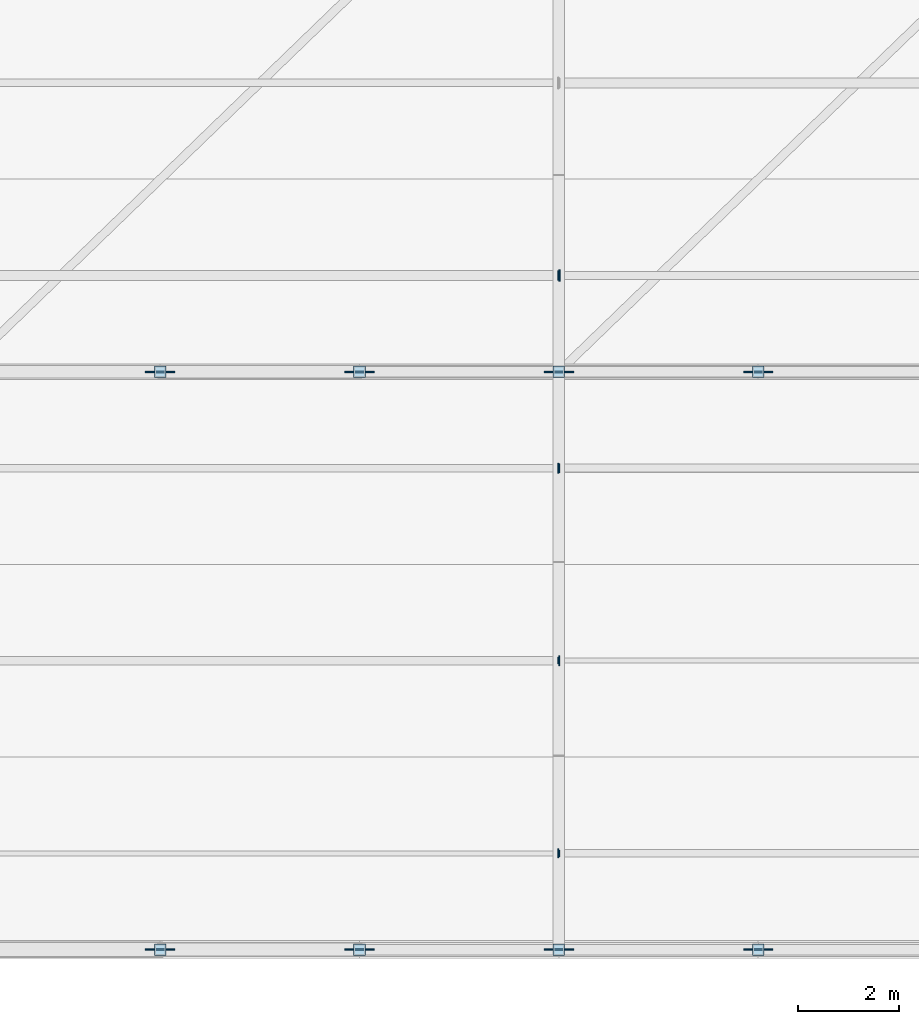
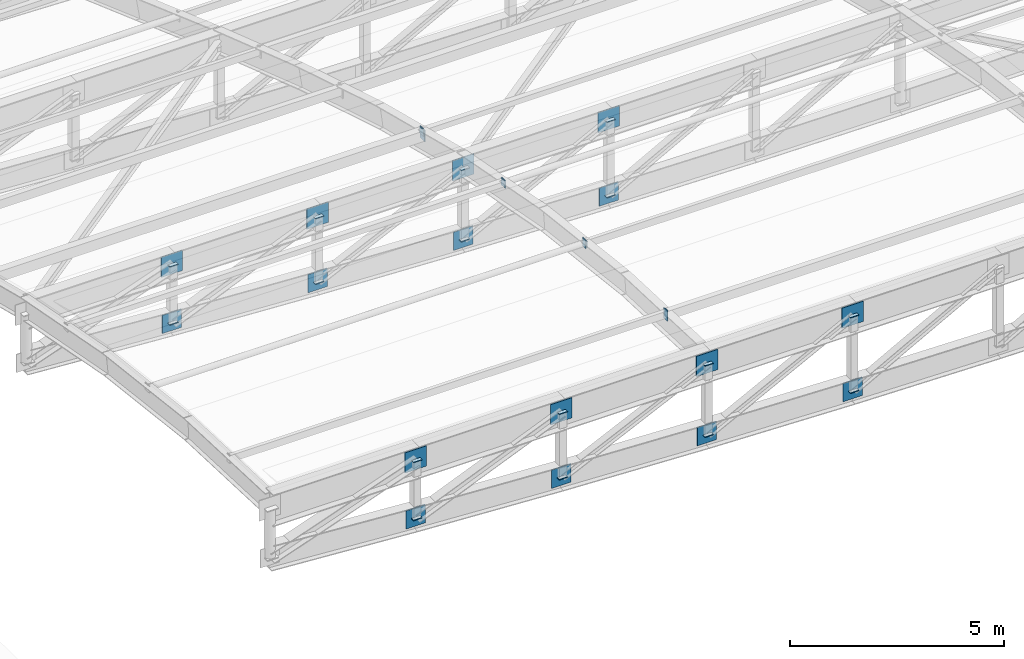
# One storey, part 38 of 65: 40 plates.
"""IFC4 building model written with IfcOpenShell, lengths in metres."""

from ifc_helpers import new_model, si_unit, direction, frame, origin, origin_2d, place, context, subcontext, project, spatial, rectangle, extrude, material, layer, layer_set, type_object, element, save


model = new_model("IFC4")

# Units and contexts
model_context = context("Model", 3, precision=1e-05, world=origin(), true_north=direction((0.0, 1.0)))
body_context = subcontext(model_context, "Body", "Model", "MODEL_VIEW")
ifc_project = project(units=[si_unit("LENGTHUNIT", "METRE"), si_unit("AREAUNIT", "SQUARE_METRE"), si_unit("VOLUMEUNIT", "CUBIC_METRE"), si_unit("PLANEANGLEUNIT", "RADIAN"), si_unit("MASSUNIT", "GRAM", prefix="KILO"), si_unit("POWERUNIT", "WATT"), si_unit("THERMODYNAMICTEMPERATUREUNIT", "KELVIN")], contexts=[model_context])

# Site, building, storey
site_placement = place(None, origin())
site = spatial("IfcSite", under=ifc_project, at=site_placement, CompositionType="ELEMENT")
building_placement = place(site_placement, origin())
building = spatial("IfcBuilding", under=site, at=building_placement, Name="Kelmbourne Parkland Aquatics Centre", CompositionType="ELEMENT")
storey_placement = place(building_placement, frame((0.0, 0.0, 27.0)))
storey = spatial("IfcBuildingStorey", under=building, at=storey_placement, Name="RF", CompositionType="ELEMENT", Elevation=27.0)

# Plates
ifc_material = material(Name="Welded plate steel AS/NZS 3678 Grade 350", Category="steel")
ifc_layer_1 = layer(ifc_material, 0.02001953125)
ifc_layer_set_1 = layer_set([ifc_layer_1], Name="Welded plate steel AS/NZS 3678 Grade 350")
plate_type_1 = type_object("IfcPlateType", Name="PL-CAP-20", PredefinedType="USERDEFINED", material=ifc_layer_set_1)
for number, where, z_axis, x_axis, name in (
    (1, (131.933349609375, 0.800048828125, -2.478759765625), (0.0, 0.0, 1.0), (1.0, 0.0, 0.0), "Hollow end cap plate CAP-0017"),
    (2, (131.933349609375, 0.800048828125, -0.821044921875), (0.0, 0.0, 1.0), (1.0, 0.0, 0.0), "Hollow end cap plate CAP-0018"),
    (3, (135.86669921875, 0.800048828125, -2.691162109375), (0.0, 0.0, 1.0), (1.0, 0.0, 0.0), "Hollow end cap plate CAP-0019"),
    (4, (135.86669921875, 0.800048828125, -0.821044921875), (0.0, 0.0, 1.0), (1.0, 0.0, 0.0), "Hollow end cap plate CAP-0020"),
    (5, (139.800048828125, 0.800048828125, -2.8564453125), (0.0, 0.0, 1.0), (1.0, 0.0, 0.0), "Hollow end cap plate CAP-0021"),
    (6, (139.800048828125, 0.800048828125, -0.821044921875), (0.0, 0.0, 1.0), (1.0, 0.0, 0.0), "Hollow end cap plate CAP-0022"),
    (7, (143.7333984375, 0.800048828125, -2.974609375), (0.0, 0.0, 1.0), (1.0, 0.0, 0.0), "Hollow end cap plate CAP-0023"),
    (8, (143.7333984375, 0.800048828125, -0.821044921875), (0.0, 0.0, 1.0), (1.0, 0.0, 0.0), "Hollow end cap plate CAP-0024"),
    (9, (131.933349609375, 12.199951171875, -3.8095703125), (0.0, 0.0, 1.0), (1.0, 0.0, 0.0), "Hollow end cap plate CAP-0043"),
    (10, (131.933349609375, 12.199951171875, -2.15185546875), (0.0, 0.0, 1.0), (1.0, 0.0, 0.0), "Hollow end cap plate CAP-0044"),
    (11, (135.86669921875, 12.199951171875, -4.02197265625), (0.0, 0.0, 1.0), (1.0, 0.0, 0.0), "Hollow end cap plate CAP-0045"),
    (12, (135.86669921875, 12.199951171875, -2.15185546875), (0.0, 0.0, 1.0), (1.0, 0.0, 0.0), "Hollow end cap plate CAP-0046"),
    (13, (139.800048828125, 12.199951171875, -4.187255859375), (0.0, 0.0, 1.0), (1.0, 0.0, 0.0), "Hollow end cap plate CAP-0047"),
    (14, (139.800048828125, 12.199951171875, -2.15185546875), (0.0, 0.0, 1.0), (1.0, 0.0, 0.0), "Hollow end cap plate CAP-0048"),
    (15, (143.7333984375, 12.199951171875, -4.305419921875), (0.0, 0.0, 1.0), (1.0, 0.0, 0.0), "Hollow end cap plate CAP-0049"),
    (16, (143.7333984375, 12.199951171875, -2.15185546875), (0.0, 0.0, 1.0), (1.0, 0.0, 0.0), "Hollow end cap plate CAP-0050"),
):
    element("IfcPlate", number, at=place(storey_placement, frame(where, z_axis=z_axis, x_axis=x_axis)), inside=storey, type_object=plate_type_1, Name=name, ObjectType="END CAP PLATE", PredefinedType="USERDEFINED", context=body_context, shape_type="SweptSolid", body=[
        extrude(rectangle(XDim=0.22998046875, YDim=0.22998046875, at=origin_2d()), origin(), (0.0, 0.0, 1.0), 0.02001953125),
    ])
plate_1_placement = place(storey_placement, frame((139.80908203125, 2.699951171875, -0.681396484375), z_axis=(0.0, 0.0, 1.0), x_axis=(1.0, 0.0, 0.0)))
element("IfcPlate", 17, at=plate_1_placement, inside=storey, type_object=plate_type_1, Name="Hollow end cap plate CAP-0302", ObjectType="END CAP PLATE", PredefinedType="USERDEFINED", context=body_context, shape_type="SweptSolid", body=[
    extrude(rectangle(XDim=0.02001953125, YDim=0.1298828125, at=origin_2d()), origin(), (0.0, 0.0, 1.0), 0.22998046875),
])
plate_2_placement = place(storey_placement, frame((139.791015625, 2.699951171875, -0.7314453125), z_axis=(0.0, 0.0, 1.0), x_axis=(-1.0, 0.0, 0.0)))
element("IfcPlate", 18, at=plate_2_placement, inside=storey, type_object=plate_type_1, Name="Hollow end cap plate CAP-0303", ObjectType="END CAP PLATE", PredefinedType="USERDEFINED", context=body_context, shape_type="SweptSolid", body=[
    extrude(rectangle(XDim=0.02001953125, YDim=0.179931640625, at=origin_2d()), origin(), (0.0, 0.0, 1.0), 0.280029296875),
])
plate_3_placement = place(storey_placement, frame((139.80908203125, 6.5, -0.951904296875), z_axis=(0.0, 0.0, 1.0), x_axis=(1.0, 0.0, 0.0)))
element("IfcPlate", 19, at=plate_3_placement, inside=storey, type_object=plate_type_1, Name="Hollow end cap plate CAP-0310", ObjectType="END CAP PLATE", PredefinedType="USERDEFINED", context=body_context, shape_type="SweptSolid", body=[
    extrude(rectangle(XDim=0.02001953125, YDim=0.1982421875, at=origin_2d()), origin(), (0.0, 0.0, 1.0), 0.1982421875),
])
plate_4_placement = place(storey_placement, frame((139.791015625, 6.5, -0.9833984375), z_axis=(0.0, 0.0, 1.0), x_axis=(-1.0, 0.0, 0.0)))
element("IfcPlate", 20, at=plate_4_placement, inside=storey, type_object=plate_type_1, Name="Hollow end cap plate CAP-0311", ObjectType="END CAP PLATE", PredefinedType="USERDEFINED", context=body_context, shape_type="SweptSolid", body=[
    extrude(rectangle(XDim=0.02001953125, YDim=0.1298828125, at=origin_2d()), origin(), (0.0, 0.0, 1.0), 0.22998046875),
])
plate_5_placement = place(storey_placement, frame((139.80908203125, 10.300048828125, -1.5224609375), z_axis=(0.0, 0.0, 1.0), x_axis=(1.0, 0.0, 0.0)))
element("IfcPlate", 21, at=plate_5_placement, inside=storey, type_object=plate_type_1, Name="Hollow end cap plate CAP-0318", ObjectType="END CAP PLATE", PredefinedType="USERDEFINED", context=body_context, shape_type="SweptSolid", body=[
    extrude(rectangle(XDim=0.02001953125, YDim=0.179931640625, at=origin_2d()), origin(), (0.0, 0.0, 1.0), 0.179931640625),
])
plate_6_placement = place(storey_placement, frame((139.791015625, 10.300048828125, -1.540771484375), z_axis=(0.0, 0.0, 1.0), x_axis=(-1.0, 0.0, 0.0)))
element("IfcPlate", 22, at=plate_6_placement, inside=storey, type_object=plate_type_1, Name="Hollow end cap plate CAP-0319", ObjectType="END CAP PLATE", PredefinedType="USERDEFINED", context=body_context, shape_type="SweptSolid", body=[
    extrude(rectangle(XDim=0.02001953125, YDim=0.1982421875, at=origin_2d()), origin(), (0.0, 0.0, 1.0), 0.1982421875),
])
plate_7_placement = place(storey_placement, frame((139.791015625, 14.10009765625, -2.36865234375), z_axis=(0.0, 0.0, 1.0), x_axis=(-1.0, 0.0, 0.0)))
element("IfcPlate", 23, at=plate_7_placement, inside=storey, type_object=plate_type_1, Name="Hollow end cap plate CAP-0327", ObjectType="END CAP PLATE", PredefinedType="USERDEFINED", context=body_context, shape_type="SweptSolid", body=[
    extrude(rectangle(XDim=0.02001953125, YDim=0.179931640625, at=origin_2d()), origin(), (0.0, 0.0, 1.0), 0.179931640625),
])
ifc_layer_2 = layer(ifc_material, 0.02392578125)
ifc_layer_set_2 = layer_set([ifc_layer_2], Name="Welded plate steel AS/NZS 3678 Grade 350")
plate_type_2 = type_object("IfcPlateType", Name="PL-CAP-24", PredefinedType="USERDEFINED", material=ifc_layer_set_2)
plate_8_placement = place(storey_placement, frame((139.81103515625, 14.10009765625, -2.518798828125), z_axis=(0.0, 0.0, 1.0), x_axis=(1.0, 0.0, 0.0)))
element("IfcPlate", 24, at=plate_8_placement, inside=storey, type_object=plate_type_2, Name="Hollow end cap plate CAP-0326", ObjectType="END CAP PLATE", PredefinedType="USERDEFINED", context=body_context, shape_type="SweptSolid", body=[
    extrude(rectangle(XDim=0.02392578125, YDim=0.22998046875, at=origin_2d()), origin(), (0.0, 0.0, 1.0), 0.330078125),
])
ifc_layer_3 = layer(ifc_material, 0.031982421875)
ifc_layer_set_3 = layer_set([ifc_layer_3], Name="Welded plate steel AS/NZS 3678 Grade 350")
plate_type_3 = type_object("IfcPlateType", Name="PL-GUS-3", PredefinedType="USERDEFINED", material=ifc_layer_set_3)
plate_9_placement = place(storey_placement, frame((131.933349609375, 0.800048828125, -1.110107421875), z_axis=(0.0, 0.0, 1.0), x_axis=(1.0, 0.0, 0.0)))
element("IfcPlate", 25, at=plate_9_placement, inside=storey, type_object=plate_type_3, Name="Truss top node TN-3 gusset plate R00-N1", ObjectType="GUSSET PLATE", PredefinedType="USERDEFINED", context=body_context, shape_type="SweptSolid", body=[
    extrude(rectangle(XDim=0.580078125, YDim=0.031982421875, at=origin_2d()), origin(), (0.0, 0.0, 1.0), 0.580078125),
])
plate_10_placement = place(storey_placement, frame((131.933349609375, 0.800048828125, -2.7197265625), z_axis=(0.0, 0.0, 1.0), x_axis=(1.0, 0.0, 0.0)))
element("IfcPlate", 26, at=plate_10_placement, inside=storey, type_object=plate_type_3, Name="Truss bottom node TN-3 gusset plate R00-B1", ObjectType="GUSSET PLATE", PredefinedType="USERDEFINED", context=body_context, shape_type="SweptSolid", body=[
    extrude(rectangle(XDim=0.52001953125, YDim=0.031982421875, at=origin_2d()), origin(), (0.0, 0.0, 1.0), 0.52001953125),
])
plate_11_placement = place(storey_placement, frame((135.86669921875, 0.800048828125, -1.110107421875), z_axis=(0.0, 0.0, 1.0), x_axis=(1.0, 0.0, 0.0)))
element("IfcPlate", 27, at=plate_11_placement, inside=storey, type_object=plate_type_3, Name="Truss top node TN-3 gusset plate R00-N2", ObjectType="GUSSET PLATE", PredefinedType="USERDEFINED", context=body_context, shape_type="SweptSolid", body=[
    extrude(rectangle(XDim=0.580078125, YDim=0.031982421875, at=origin_2d()), origin(), (0.0, 0.0, 1.0), 0.580078125),
])
plate_12_placement = place(storey_placement, frame((135.86669921875, 0.800048828125, -2.93212890625), z_axis=(0.0, 0.0, 1.0), x_axis=(1.0, 0.0, 0.0)))
element("IfcPlate", 28, at=plate_12_placement, inside=storey, type_object=plate_type_3, Name="Truss bottom node TN-3 gusset plate R00-B2", ObjectType="GUSSET PLATE", PredefinedType="USERDEFINED", context=body_context, shape_type="SweptSolid", body=[
    extrude(rectangle(XDim=0.52001953125, YDim=0.031982421875, at=origin_2d()), origin(), (0.0, 0.0, 1.0), 0.52001953125),
])
plate_13_placement = place(storey_placement, frame((139.800048828125, 0.800048828125, -1.110107421875), z_axis=(0.0, 0.0, 1.0), x_axis=(1.0, 0.0, 0.0)))
element("IfcPlate", 29, at=plate_13_placement, inside=storey, type_object=plate_type_3, Name="Truss top node TN-3 gusset plate R00-N3", ObjectType="GUSSET PLATE", PredefinedType="USERDEFINED", context=body_context, shape_type="SweptSolid", body=[
    extrude(rectangle(XDim=0.580078125, YDim=0.031982421875, at=origin_2d()), origin(), (0.0, 0.0, 1.0), 0.580078125),
])
plate_14_placement = place(storey_placement, frame((139.800048828125, 0.800048828125, -3.097412109375), z_axis=(0.0, 0.0, 1.0), x_axis=(1.0, 0.0, 0.0)))
element("IfcPlate", 30, at=plate_14_placement, inside=storey, type_object=plate_type_3, Name="Truss bottom node TN-3 gusset plate R00-B3", ObjectType="GUSSET PLATE", PredefinedType="USERDEFINED", context=body_context, shape_type="SweptSolid", body=[
    extrude(rectangle(XDim=0.52001953125, YDim=0.031982421875, at=origin_2d()), origin(), (0.0, 0.0, 1.0), 0.52001953125),
])
plate_15_placement = place(storey_placement, frame((143.7333984375, 0.800048828125, -1.110107421875), z_axis=(0.0, 0.0, 1.0), x_axis=(1.0, 0.0, 0.0)))
element("IfcPlate", 31, at=plate_15_placement, inside=storey, type_object=plate_type_3, Name="Truss top node TN-3 gusset plate R00-N4", ObjectType="GUSSET PLATE", PredefinedType="USERDEFINED", context=body_context, shape_type="SweptSolid", body=[
    extrude(rectangle(XDim=0.580078125, YDim=0.031982421875, at=origin_2d()), origin(), (0.0, 0.0, 1.0), 0.580078125),
])
plate_16_placement = place(storey_placement, frame((143.7333984375, 0.800048828125, -3.215576171875), z_axis=(0.0, 0.0, 1.0), x_axis=(1.0, 0.0, 0.0)))
element("IfcPlate", 32, at=plate_16_placement, inside=storey, type_object=plate_type_3, Name="Truss bottom node TN-3 gusset plate R00-B4", ObjectType="GUSSET PLATE", PredefinedType="USERDEFINED", context=body_context, shape_type="SweptSolid", body=[
    extrude(rectangle(XDim=0.52001953125, YDim=0.031982421875, at=origin_2d()), origin(), (0.0, 0.0, 1.0), 0.52001953125),
])
plate_17_placement = place(storey_placement, frame((131.933349609375, 12.199951171875, -2.44091796875), z_axis=(0.0, 0.0, 1.0), x_axis=(1.0, 0.0, 0.0)))
element("IfcPlate", 33, at=plate_17_placement, inside=storey, type_object=plate_type_3, Name="Truss top node TN-3 gusset plate R01-N1", ObjectType="GUSSET PLATE", PredefinedType="USERDEFINED", context=body_context, shape_type="SweptSolid", body=[
    extrude(rectangle(XDim=0.580078125, YDim=0.031982421875, at=origin_2d()), origin(), (0.0, 0.0, 1.0), 0.580078125),
])
plate_18_placement = place(storey_placement, frame((131.933349609375, 12.199951171875, -4.050537109375), z_axis=(0.0, 0.0, 1.0), x_axis=(1.0, 0.0, 0.0)))
element("IfcPlate", 34, at=plate_18_placement, inside=storey, type_object=plate_type_3, Name="Truss bottom node TN-3 gusset plate R01-B1", ObjectType="GUSSET PLATE", PredefinedType="USERDEFINED", context=body_context, shape_type="SweptSolid", body=[
    extrude(rectangle(XDim=0.52001953125, YDim=0.031982421875, at=origin_2d()), origin(), (0.0, 0.0, 1.0), 0.52001953125),
])
plate_19_placement = place(storey_placement, frame((135.86669921875, 12.199951171875, -2.44091796875), z_axis=(0.0, 0.0, 1.0), x_axis=(1.0, 0.0, 0.0)))
element("IfcPlate", 35, at=plate_19_placement, inside=storey, type_object=plate_type_3, Name="Truss top node TN-3 gusset plate R01-N2", ObjectType="GUSSET PLATE", PredefinedType="USERDEFINED", context=body_context, shape_type="SweptSolid", body=[
    extrude(rectangle(XDim=0.580078125, YDim=0.031982421875, at=origin_2d()), origin(), (0.0, 0.0, 1.0), 0.580078125),
])
plate_20_placement = place(storey_placement, frame((135.86669921875, 12.199951171875, -4.262939453125), z_axis=(0.0, 0.0, 1.0), x_axis=(1.0, 0.0, 0.0)))
element("IfcPlate", 36, at=plate_20_placement, inside=storey, type_object=plate_type_3, Name="Truss bottom node TN-3 gusset plate R01-B2", ObjectType="GUSSET PLATE", PredefinedType="USERDEFINED", context=body_context, shape_type="SweptSolid", body=[
    extrude(rectangle(XDim=0.52001953125, YDim=0.031982421875, at=origin_2d()), origin(), (0.0, 0.0, 1.0), 0.52001953125),
])
plate_21_placement = place(storey_placement, frame((139.800048828125, 12.199951171875, -2.44091796875), z_axis=(0.0, 0.0, 1.0), x_axis=(1.0, 0.0, 0.0)))
element("IfcPlate", 37, at=plate_21_placement, inside=storey, type_object=plate_type_3, Name="Truss top node TN-3 gusset plate R01-N3", ObjectType="GUSSET PLATE", PredefinedType="USERDEFINED", context=body_context, shape_type="SweptSolid", body=[
    extrude(rectangle(XDim=0.580078125, YDim=0.031982421875, at=origin_2d()), origin(), (0.0, 0.0, 1.0), 0.580078125),
])
plate_22_placement = place(storey_placement, frame((139.800048828125, 12.199951171875, -4.42822265625), z_axis=(0.0, 0.0, 1.0), x_axis=(1.0, 0.0, 0.0)))
element("IfcPlate", 38, at=plate_22_placement, inside=storey, type_object=plate_type_3, Name="Truss bottom node TN-3 gusset plate R01-B3", ObjectType="GUSSET PLATE", PredefinedType="USERDEFINED", context=body_context, shape_type="SweptSolid", body=[
    extrude(rectangle(XDim=0.52001953125, YDim=0.031982421875, at=origin_2d()), origin(), (0.0, 0.0, 1.0), 0.52001953125),
])
plate_23_placement = place(storey_placement, frame((143.7333984375, 12.199951171875, -2.44091796875), z_axis=(0.0, 0.0, 1.0), x_axis=(1.0, 0.0, 0.0)))
element("IfcPlate", 39, at=plate_23_placement, inside=storey, type_object=plate_type_3, Name="Truss top node TN-3 gusset plate R01-N4", ObjectType="GUSSET PLATE", PredefinedType="USERDEFINED", context=body_context, shape_type="SweptSolid", body=[
    extrude(rectangle(XDim=0.580078125, YDim=0.031982421875, at=origin_2d()), origin(), (0.0, 0.0, 1.0), 0.580078125),
])
plate_24_placement = place(storey_placement, frame((143.7333984375, 12.199951171875, -4.54638671875), z_axis=(0.0, 0.0, 1.0), x_axis=(1.0, 0.0, 0.0)))
element("IfcPlate", 40, at=plate_24_placement, inside=storey, type_object=plate_type_3, Name="Truss bottom node TN-3 gusset plate R01-B4", ObjectType="GUSSET PLATE", PredefinedType="USERDEFINED", context=body_context, shape_type="SweptSolid", body=[
    extrude(rectangle(XDim=0.52001953125, YDim=0.031982421875, at=origin_2d()), origin(), (0.0, 0.0, 1.0), 0.52001953125),
])

save(model, "model.ifc")
